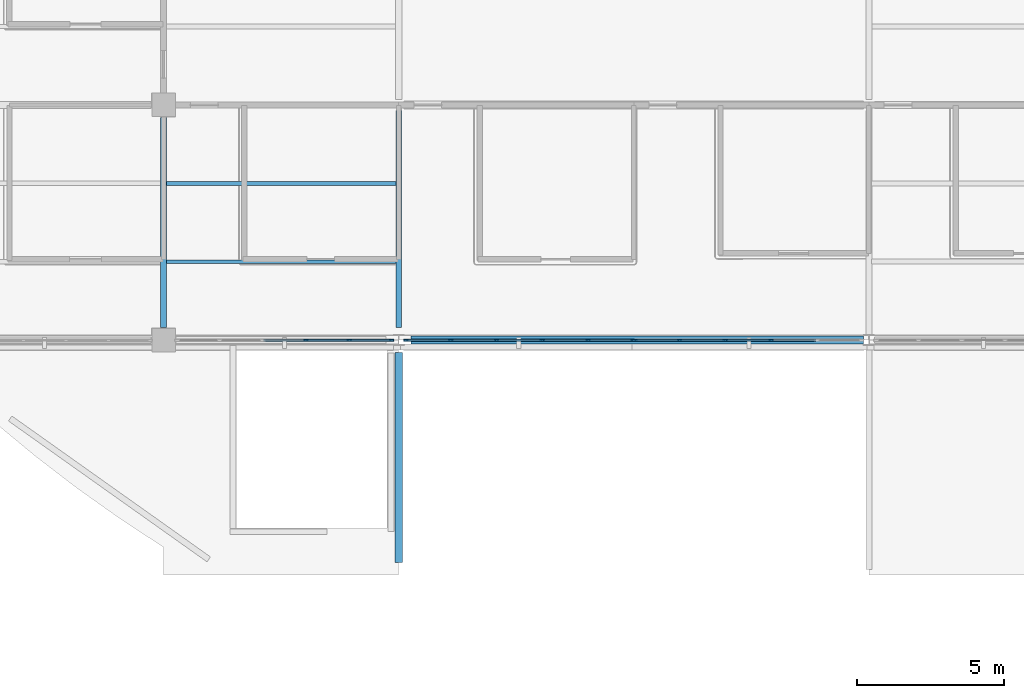
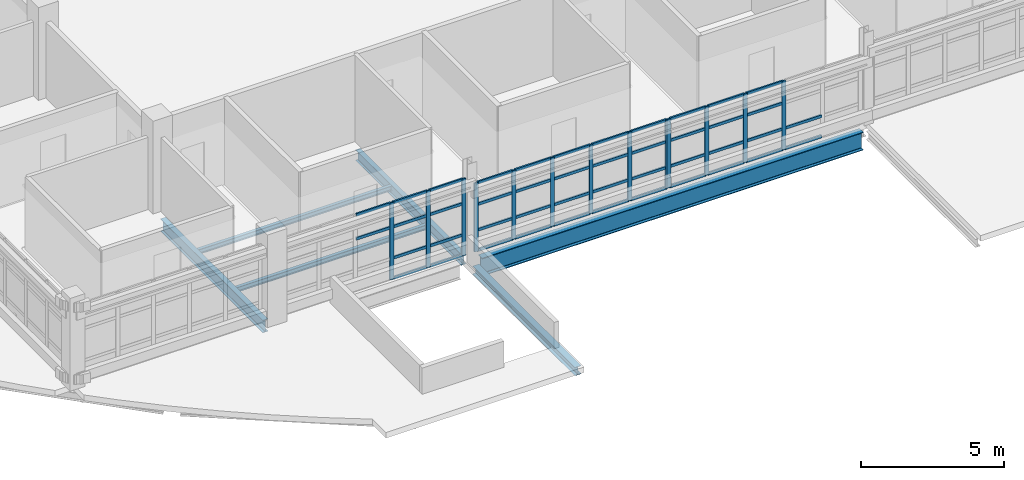
# One storey, part 24 of 126: 57 members, 6 beams, 3 elements without a shape of their own.
"""IFC4 building model written with IfcOpenShell, lengths in metres."""

from ifc_helpers import new_model, si_unit, derived_unit, direction, frame, origin, origin_2d, place, context, subcontext, project, spatial, rectangle, i_section, extrude, material, layer, layer_set, material_profile, profile_set, type_object, element, aggregate, save


model = new_model("IFC4")

# Units and contexts
model_context = context("Model", 3, precision=1e-05, world=origin(), true_north=direction((0.0, 1.0)))
body_context = subcontext(model_context, "Body", "Model", "MODEL_VIEW")
ifc_project = project(units=[si_unit("LENGTHUNIT", "METRE"), si_unit("AREAUNIT", "SQUARE_METRE"), si_unit("VOLUMEUNIT", "CUBIC_METRE"), si_unit("PLANEANGLEUNIT", "RADIAN"), si_unit("MASSUNIT", "GRAM", prefix="KILO"), derived_unit("THERMALTRANSMITTANCEUNIT", [(si_unit("MASSUNIT", "GRAM", prefix="KILO"), 1), (si_unit("TIMEUNIT", "SECOND"), -3), (si_unit("THERMODYNAMICTEMPERATUREUNIT", "KELVIN"), -1)])], contexts=[model_context])

# Site, building, storey
site_placement = place(None, origin())
site = spatial("IfcSite", under=ifc_project, at=site_placement, CompositionType="ELEMENT")
building_placement = place(site_placement, origin())
building = spatial("IfcBuilding", under=site, at=building_placement, Name="Veyamyaing Civic Hall", CompositionType="ELEMENT")
storey_placement = place(building_placement, frame((0.0, 0.0, 9.89990234375)))
storey = spatial("IfcBuildingStorey", under=building, at=storey_placement, Name="L02", CompositionType="ELEMENT", Elevation=9.89990234375)

# Beams
ifc_material_1 = material(Name="Steel ASTM A992", Category="steel")
ifc_material_profile_1 = material_profile(ifc_material_1, i_section(OverallWidth=0.26806640625, OverallDepth=0.77001953125, WebThickness=0.015625, FlangeThickness=0.025390625, FilletRadius=0.01611328125, at=origin_2d()), Name="W760X196")
ifc_profile_set_1 = profile_set([ifc_material_profile_1], Name="Steel ASTM A992")
beam_type_1 = type_object("IfcBeamType", Name="B-03", PredefinedType="BEAM", material=ifc_profile_set_1)
beam_1_placement = place(storey_placement, frame((80.425048828125, 24.0, -0.669921875), z_axis=(1.0, 0.0, 0.0), x_axis=(0.0, 1.0, 0.0)))
element("IfcBeam", 1, at=beam_1_placement, inside=storey, type_object=beam_type_1, Name="Girder B-03 L02 Grid D 11-13", PredefinedType="BEAM", context=body_context, shape_type="SweptSolid", body=[
    extrude(i_section(OverallWidth=0.26806640625, OverallDepth=0.77001953125, WebThickness=0.015625, FlangeThickness=0.025390625, FilletRadius=0.01611328125, at=origin_2d()), origin(), (0.0, 0.0, 1.0), 15.387939453125),
])
ifc_material_profile_2 = material_profile(ifc_material_1, i_section(OverallWidth=0.208984375, OverallDepth=0.532958984375, WebThickness=0.01025390625, FlangeThickness=0.015625, FilletRadius=0.011962890625, at=origin_2d()), Name="W530X92")
ifc_profile_set_2 = profile_set([ifc_material_profile_2], Name="Steel ASTM A992")
beam_type_2 = type_object("IfcBeamType", Name="B-07", PredefinedType="BEAM", material=ifc_profile_set_2)
beam_2_placement = place(storey_placement, frame((72.0, 24.425048828125, -0.551513671875), z_axis=(0.0, 1.0, 0.0), x_axis=(-1.0, 0.0, 0.0)))
element("IfcBeam", 2, at=beam_2_placement, inside=storey, type_object=beam_type_2, Name="Girder B-07 L02 Grid 10 D-E", PredefinedType="BEAM", context=body_context, shape_type="SweptSolid", body=[
    extrude(i_section(OverallWidth=0.208984375, OverallDepth=0.532958984375, WebThickness=0.01025390625, FlangeThickness=0.015625, FilletRadius=0.011962890625, at=origin_2d()), origin(), (0.0, 0.0, 1.0), 7.14990234375),
])
ifc_material_profile_3 = material_profile(ifc_material_1, i_section(OverallWidth=0.19189453125, OverallDepth=0.462890625, WebThickness=0.010498046875, FlangeThickness=0.017578125, FilletRadius=0.010009765625, at=origin_2d()), Name="W460X89")
ifc_profile_set_3 = profile_set([ifc_material_profile_3], Name="Steel ASTM A992")
beam_type_3 = type_object("IfcBeamType", Name="B-08", PredefinedType="BEAM", material=ifc_profile_set_3)
beam_3_placement = place(storey_placement, frame((80.0, 24.425048828125, -0.516357421875), z_axis=(0.0, 1.0, 0.0), x_axis=(-1.0, 0.0, 0.0)))
element("IfcBeam", 3, at=beam_3_placement, inside=storey, type_object=beam_type_3, Name="Girder B-08 L02 Grid 11 D-E", PredefinedType="BEAM", context=body_context, shape_type="SweptSolid", body=[
    extrude(i_section(OverallWidth=0.19189453125, OverallDepth=0.462890625, WebThickness=0.010498046875, FlangeThickness=0.017578125, FilletRadius=0.010009765625, at=origin_2d()), origin(), (0.0, 0.0, 1.0), 7.388916015625),
])
ifc_material_profile_4 = material_profile(ifc_material_1, i_section(OverallWidth=0.25390625, OverallDepth=0.35302734375, WebThickness=0.009521484375, FlangeThickness=0.016357421875, FilletRadius=0.011962890625, at=origin_2d()), Name="W360X91")
ifc_profile_set_4 = profile_set([ifc_material_profile_4], Name="Steel ASTM A992")
beam_type_4 = type_object("IfcBeamType", Name="B-20", PredefinedType="SPANDREL", material=ifc_profile_set_4)
beam_4_placement = place(storey_placement, frame((80.0, 16.425048828125, -0.41650390625), z_axis=(0.0, 1.0, 0.0), x_axis=(-1.0, 0.0, 0.0)))
element("IfcBeam", 4, at=beam_4_placement, inside=storey, type_object=beam_type_4, Name="Girder B-20 L02 Grid 11 C-D", PredefinedType="SPANDREL", context=body_context, shape_type="SweptSolid", body=[
    extrude(i_section(OverallWidth=0.25390625, OverallDepth=0.35302734375, WebThickness=0.009521484375, FlangeThickness=0.016357421875, FilletRadius=0.011962890625, at=origin_2d()), origin(), (0.0, 0.0, 1.0), 7.14990234375),
])

# Curtain wall, members
ifc_material_2 = material(Name="Anodised aluminium 6063-T6", Category="aluminium")
ifc_layer = layer(ifc_material_2, 0.159912109375, Name="Anodised aluminium 6063-T6")
ifc_layer_set = layer_set([ifc_layer], Name="Anodised aluminium 6063-T6")
curtain_wall_type = type_object("IfcCurtainWallType", Name="CW-03", PredefinedType="NOTDEFINED", material=ifc_layer_set)
curtain_wall_1_placement = place(storey_placement, origin())
curtain_wall_1 = element("IfcCurtainWall", 5, at=curtain_wall_1_placement, inside=storey, type_object=curtain_wall_type, Name="Unitized curtain wall CW-03 L02 S 10.4", PredefinedType="NOTDEFINED")
ifc_material_profile_5 = material_profile(ifc_material_2, rectangle(XDim=0.06494140625, YDim=0.159912109375, at=origin_2d()), Name="ALU-MUL-65X160")
ifc_profile_set_5 = profile_set([ifc_material_profile_5], Name="Anodised aluminium 6063-T6")
member_type_1 = type_object("IfcMemberType", Name="CWM-01", PredefinedType="MULLION", material=ifc_profile_set_5)
member_1_placement = place(storey_placement, frame((76.8427734375, 24.0, 0.0), z_axis=(0.0, 0.0, 1.0), x_axis=(0.0, 1.0, 0.0)))
member_1 = element("IfcMember", 6, at=member_1_placement, type_object=member_type_1, Name="CW-03 mullion 4", PredefinedType="MULLION", context=body_context, shape_type="SweptSolid", body=[
    extrude(rectangle(XDim=0.06494140625, YDim=0.159912109375, at=origin_2d()), origin(), (0.0, 0.0, 1.0), 3.2841796875),
])
member_2_placement = place(storey_placement, frame((78.313720703125, 24.0, 0.0), z_axis=(0.0, 0.0, 1.0), x_axis=(0.0, 1.0, 0.0)))
member_2 = element("IfcMember", 7, at=member_2_placement, type_object=member_type_1, Name="CW-03 mullion 5", PredefinedType="MULLION", context=body_context, shape_type="SweptSolid", body=[
    extrude(rectangle(XDim=0.06494140625, YDim=0.159912109375, at=origin_2d()), origin(), (0.0, 0.0, 1.0), 3.2841796875),
])
member_3_placement = place(storey_placement, frame((79.751953125, 24.0, 0.0), z_axis=(0.0, 0.0, 1.0), x_axis=(0.0, 1.0, 0.0)))
member_3 = element("IfcMember", 8, at=member_3_placement, type_object=member_type_1, Name="CW-03 mullion 6", PredefinedType="MULLION", context=body_context, shape_type="SweptSolid", body=[
    extrude(rectangle(XDim=0.06494140625, YDim=0.159912109375, at=origin_2d()), origin(), (0.0, 0.0, 1.0), 3.2841796875),
])

curtain_wall_2_placement = place(storey_placement, origin())
curtain_wall_2 = element("IfcCurtainWall", 9, at=curtain_wall_2_placement, inside=storey, type_object=curtain_wall_type, Name="Unitized curtain wall CW-03 L02 S 11.4", PredefinedType="NOTDEFINED")
member_4_placement = place(storey_placement, frame((80.248046875, 24.0, 0.0), z_axis=(0.0, 0.0, 1.0), x_axis=(0.0, 1.0, 0.0)))
member_4 = element("IfcMember", 10, at=member_4_placement, type_object=member_type_1, Name="CW-03 mullion 1", PredefinedType="MULLION", context=body_context, shape_type="SweptSolid", body=[
    extrude(rectangle(XDim=0.06494140625, YDim=0.159912109375, at=origin_2d()), origin(), (0.0, 0.0, 1.0), 2.939208984375),
])
member_5_placement = place(storey_placement, frame((81.7724609375, 24.0, 0.0), z_axis=(0.0, 0.0, 1.0), x_axis=(0.0, 1.0, 0.0)))
member_5 = element("IfcMember", 11, at=member_5_placement, type_object=member_type_1, Name="CW-03 mullion 2", PredefinedType="MULLION", context=body_context, shape_type="SweptSolid", body=[
    extrude(rectangle(XDim=0.06494140625, YDim=0.159912109375, at=origin_2d()), origin(), (0.0, 0.0, 1.0), 2.939208984375),
])
member_6_placement = place(storey_placement, frame((83.329345703125, 24.0, 0.0), z_axis=(0.0, 0.0, 1.0), x_axis=(0.0, 1.0, 0.0)))
member_6 = element("IfcMember", 12, at=member_6_placement, type_object=member_type_1, Name="CW-03 mullion 3", PredefinedType="MULLION", context=body_context, shape_type="SweptSolid", body=[
    extrude(rectangle(XDim=0.06494140625, YDim=0.159912109375, at=origin_2d()), origin(), (0.0, 0.0, 1.0), 2.939208984375),
])
member_7_placement = place(storey_placement, frame((84.88623046875, 24.0, 0.0), z_axis=(0.0, 0.0, 1.0), x_axis=(0.0, 1.0, 0.0)))
member_7 = element("IfcMember", 13, at=member_7_placement, type_object=member_type_1, Name="CW-03 mullion 4", PredefinedType="MULLION", context=body_context, shape_type="SweptSolid", body=[
    extrude(rectangle(XDim=0.06494140625, YDim=0.159912109375, at=origin_2d()), origin(), (0.0, 0.0, 1.0), 2.939208984375),
])
member_8_placement = place(storey_placement, frame((86.443115234375, 24.0, 0.0), z_axis=(0.0, 0.0, 1.0), x_axis=(0.0, 1.0, 0.0)))
member_8 = element("IfcMember", 14, at=member_8_placement, type_object=member_type_1, Name="CW-03 mullion 5", PredefinedType="MULLION", context=body_context, shape_type="SweptSolid", body=[
    extrude(rectangle(XDim=0.06494140625, YDim=0.159912109375, at=origin_2d()), origin(), (0.0, 0.0, 1.0), 2.939208984375),
])
member_9_placement = place(storey_placement, frame((87.967529296875, 24.0, 0.0), z_axis=(0.0, 0.0, 1.0), x_axis=(0.0, 1.0, 0.0)))
member_9 = element("IfcMember", 15, at=member_9_placement, type_object=member_type_1, Name="CW-03 mullion 6", PredefinedType="MULLION", context=body_context, shape_type="SweptSolid", body=[
    extrude(rectangle(XDim=0.06494140625, YDim=0.159912109375, at=origin_2d()), origin(), (0.0, 0.0, 1.0), 2.939208984375),
])

curtain_wall_3_placement = place(storey_placement, origin())
curtain_wall_3 = element("IfcCurtainWall", 16, at=curtain_wall_3_placement, inside=storey, type_object=curtain_wall_type, Name="Unitized curtain wall CW-03 L02 S 12.4", PredefinedType="NOTDEFINED")
member_10_placement = place(storey_placement, frame((88.032470703125, 24.0, 0.0), z_axis=(0.0, 0.0, 1.0), x_axis=(0.0, 1.0, 0.0)))
member_10 = element("IfcMember", 17, at=member_10_placement, type_object=member_type_1, Name="CW-03 mullion 1", PredefinedType="MULLION", context=body_context, shape_type="SweptSolid", body=[
    extrude(rectangle(XDim=0.06494140625, YDim=0.159912109375, at=origin_2d()), origin(), (0.0, 0.0, 1.0), 2.939208984375),
])
member_11_placement = place(storey_placement, frame((89.556884765625, 24.0, 0.0), z_axis=(0.0, 0.0, 1.0), x_axis=(0.0, 1.0, 0.0)))
member_11 = element("IfcMember", 18, at=member_11_placement, type_object=member_type_1, Name="CW-03 mullion 2", PredefinedType="MULLION", context=body_context, shape_type="SweptSolid", body=[
    extrude(rectangle(XDim=0.06494140625, YDim=0.159912109375, at=origin_2d()), origin(), (0.0, 0.0, 1.0), 2.939208984375),
])
member_12_placement = place(storey_placement, frame((91.11376953125, 24.0, 0.0), z_axis=(0.0, 0.0, 1.0), x_axis=(0.0, 1.0, 0.0)))
member_12 = element("IfcMember", 19, at=member_12_placement, type_object=member_type_1, Name="CW-03 mullion 3", PredefinedType="MULLION", context=body_context, shape_type="SweptSolid", body=[
    extrude(rectangle(XDim=0.06494140625, YDim=0.159912109375, at=origin_2d()), origin(), (0.0, 0.0, 1.0), 2.939208984375),
])
member_13_placement = place(storey_placement, frame((92.670654296875, 24.0, 0.0), z_axis=(0.0, 0.0, 1.0), x_axis=(0.0, 1.0, 0.0)))
member_13 = element("IfcMember", 20, at=member_13_placement, type_object=member_type_1, Name="CW-03 mullion 4", PredefinedType="MULLION", context=body_context, shape_type="SweptSolid", body=[
    extrude(rectangle(XDim=0.06494140625, YDim=0.159912109375, at=origin_2d()), origin(), (0.0, 0.0, 1.0), 2.939208984375),
])

# Member
ifc_material_profile_6 = material_profile(ifc_material_2, rectangle(XDim=0.06494140625, YDim=0.1201171875, at=origin_2d()), Name="ALU-TRN-65X120")
ifc_profile_set_6 = profile_set([ifc_material_profile_6], Name="Anodised aluminium 6063-T6")
member_type_2 = type_object("IfcMemberType", Name="CWT-01", PredefinedType="USERDEFINED", material=ifc_profile_set_6)
member_14_placement = place(storey_placement, frame((75.404296875, 24.0, 2.233154296875), z_axis=(1.0, 0.0, 0.0), x_axis=(0.0, 1.0, 0.0)))
member_14 = element("IfcMember", 21, at=member_14_placement, type_object=member_type_2, Name="CW-03 transom 3.3", ObjectType="TRANSOM", PredefinedType="USERDEFINED", context=body_context, shape_type="SweptSolid", body=[
    extrude(rectangle(XDim=0.06494140625, YDim=0.1201171875, at=origin_2d()), origin(), (0.0, 0.0, 1.0), 1.406005859375),
])

member_15_placement = place(storey_placement, frame((75.404296875, 24.0, 3.251708984375), z_axis=(1.0, 0.0, 0.0), x_axis=(0.0, 1.0, 0.0)))
member_15 = element("IfcMember", 22, at=member_15_placement, type_object=member_type_2, Name="CW-03 transom 3.4", ObjectType="TRANSOM", PredefinedType="USERDEFINED", context=body_context, shape_type="SweptSolid", body=[
    extrude(rectangle(XDim=0.06494140625, YDim=0.1201171875, at=origin_2d()), origin(), (0.0, 0.0, 1.0), 1.406005859375),
])

member_16_placement = place(storey_placement, frame((76.875244140625, 24.0, 0.03271484375), z_axis=(1.0, 0.0, 0.0), x_axis=(0.0, 1.0, 0.0)))
member_16 = element("IfcMember", 23, at=member_16_placement, type_object=member_type_2, Name="CW-03 transom 4.1", ObjectType="TRANSOM", PredefinedType="USERDEFINED", context=body_context, shape_type="SweptSolid", body=[
    extrude(rectangle(XDim=0.06494140625, YDim=0.1201171875, at=origin_2d()), origin(), (0.0, 0.0, 1.0), 1.40576171875),
])

member_17_placement = place(storey_placement, frame((76.875244140625, 24.0, 0.900146484375), z_axis=(1.0, 0.0, 0.0), x_axis=(0.0, 1.0, 0.0)))
member_17 = element("IfcMember", 24, at=member_17_placement, type_object=member_type_2, Name="CW-03 transom 4.2", ObjectType="TRANSOM", PredefinedType="USERDEFINED", context=body_context, shape_type="SweptSolid", body=[
    extrude(rectangle(XDim=0.06494140625, YDim=0.1201171875, at=origin_2d()), origin(), (0.0, 0.0, 1.0), 1.40576171875),
])

member_18_placement = place(storey_placement, frame((76.875244140625, 24.0, 2.233154296875), z_axis=(1.0, 0.0, 0.0), x_axis=(0.0, 1.0, 0.0)))
member_18 = element("IfcMember", 25, at=member_18_placement, type_object=member_type_2, Name="CW-03 transom 4.3", ObjectType="TRANSOM", PredefinedType="USERDEFINED", context=body_context, shape_type="SweptSolid", body=[
    extrude(rectangle(XDim=0.06494140625, YDim=0.1201171875, at=origin_2d()), origin(), (0.0, 0.0, 1.0), 1.40576171875),
])

member_19_placement = place(storey_placement, frame((76.875244140625, 24.0, 3.251708984375), z_axis=(1.0, 0.0, 0.0), x_axis=(0.0, 1.0, 0.0)))
member_19 = element("IfcMember", 26, at=member_19_placement, type_object=member_type_2, Name="CW-03 transom 4.4", ObjectType="TRANSOM", PredefinedType="USERDEFINED", context=body_context, shape_type="SweptSolid", body=[
    extrude(rectangle(XDim=0.06494140625, YDim=0.1201171875, at=origin_2d()), origin(), (0.0, 0.0, 1.0), 1.40576171875),
])

member_20_placement = place(storey_placement, frame((78.34619140625, 24.0, 0.03271484375), z_axis=(1.0, 0.0, 0.0), x_axis=(0.0, 1.0, 0.0)))
member_20 = element("IfcMember", 27, at=member_20_placement, type_object=member_type_2, Name="CW-03 transom 5.1", ObjectType="TRANSOM", PredefinedType="USERDEFINED", context=body_context, shape_type="SweptSolid", body=[
    extrude(rectangle(XDim=0.06494140625, YDim=0.1201171875, at=origin_2d()), origin(), (0.0, 0.0, 1.0), 1.373291015625),
])

member_21_placement = place(storey_placement, frame((78.34619140625, 24.0, 0.900146484375), z_axis=(1.0, 0.0, 0.0), x_axis=(0.0, 1.0, 0.0)))
member_21 = element("IfcMember", 28, at=member_21_placement, type_object=member_type_2, Name="CW-03 transom 5.2", ObjectType="TRANSOM", PredefinedType="USERDEFINED", context=body_context, shape_type="SweptSolid", body=[
    extrude(rectangle(XDim=0.06494140625, YDim=0.1201171875, at=origin_2d()), origin(), (0.0, 0.0, 1.0), 1.373291015625),
])

member_22_placement = place(storey_placement, frame((78.34619140625, 24.0, 2.233154296875), z_axis=(1.0, 0.0, 0.0), x_axis=(0.0, 1.0, 0.0)))
member_22 = element("IfcMember", 29, at=member_22_placement, type_object=member_type_2, Name="CW-03 transom 5.3", ObjectType="TRANSOM", PredefinedType="USERDEFINED", context=body_context, shape_type="SweptSolid", body=[
    extrude(rectangle(XDim=0.06494140625, YDim=0.1201171875, at=origin_2d()), origin(), (0.0, 0.0, 1.0), 1.373291015625),
])

member_23_placement = place(storey_placement, frame((78.34619140625, 24.0, 3.251708984375), z_axis=(1.0, 0.0, 0.0), x_axis=(0.0, 1.0, 0.0)))
member_23 = element("IfcMember", 30, at=member_23_placement, type_object=member_type_2, Name="CW-03 transom 5.4", ObjectType="TRANSOM", PredefinedType="USERDEFINED", context=body_context, shape_type="SweptSolid", body=[
    extrude(rectangle(XDim=0.06494140625, YDim=0.1201171875, at=origin_2d()), origin(), (0.0, 0.0, 1.0), 1.373291015625),
])

aggregate(curtain_wall_1, [member_1, member_2, member_3, member_14, member_15, member_16, member_17, member_18, member_19, member_20, member_21, member_22, member_23])

member_24_placement = place(storey_placement, frame((80.280517578125, 24.0, 0.03271484375), z_axis=(1.0, 0.0, 0.0), x_axis=(0.0, 1.0, 0.0)))
member_24 = element("IfcMember", 31, at=member_24_placement, type_object=member_type_2, Name="CW-03 transom 1.1", ObjectType="TRANSOM", PredefinedType="USERDEFINED", context=body_context, shape_type="SweptSolid", body=[
    extrude(rectangle(XDim=0.06494140625, YDim=0.1201171875, at=origin_2d()), origin(), (0.0, 0.0, 1.0), 1.45947265625),
])

member_25_placement = place(storey_placement, frame((80.280517578125, 24.0, 0.900146484375), z_axis=(1.0, 0.0, 0.0), x_axis=(0.0, 1.0, 0.0)))
member_25 = element("IfcMember", 32, at=member_25_placement, type_object=member_type_2, Name="CW-03 transom 1.2", ObjectType="TRANSOM", PredefinedType="USERDEFINED", context=body_context, shape_type="SweptSolid", body=[
    extrude(rectangle(XDim=0.06494140625, YDim=0.1201171875, at=origin_2d()), origin(), (0.0, 0.0, 1.0), 1.45947265625),
])

member_26_placement = place(storey_placement, frame((80.280517578125, 24.0, 1.99853515625), z_axis=(1.0, 0.0, 0.0), x_axis=(0.0, 1.0, 0.0)))
member_26 = element("IfcMember", 33, at=member_26_placement, type_object=member_type_2, Name="CW-03 transom 1.3", ObjectType="TRANSOM", PredefinedType="USERDEFINED", context=body_context, shape_type="SweptSolid", body=[
    extrude(rectangle(XDim=0.06494140625, YDim=0.1201171875, at=origin_2d()), origin(), (0.0, 0.0, 1.0), 1.45947265625),
])

member_27_placement = place(storey_placement, frame((80.280517578125, 24.0, 2.906494140625), z_axis=(1.0, 0.0, 0.0), x_axis=(0.0, 1.0, 0.0)))
member_27 = element("IfcMember", 34, at=member_27_placement, type_object=member_type_2, Name="CW-03 transom 1.4", ObjectType="TRANSOM", PredefinedType="USERDEFINED", context=body_context, shape_type="SweptSolid", body=[
    extrude(rectangle(XDim=0.06494140625, YDim=0.1201171875, at=origin_2d()), origin(), (0.0, 0.0, 1.0), 1.45947265625),
])

member_28_placement = place(storey_placement, frame((81.804931640625, 24.0, 0.03271484375), z_axis=(1.0, 0.0, 0.0), x_axis=(0.0, 1.0, 0.0)))
member_28 = element("IfcMember", 35, at=member_28_placement, type_object=member_type_2, Name="CW-03 transom 2.1", ObjectType="TRANSOM", PredefinedType="USERDEFINED", context=body_context, shape_type="SweptSolid", body=[
    extrude(rectangle(XDim=0.06494140625, YDim=0.1201171875, at=origin_2d()), origin(), (0.0, 0.0, 1.0), 1.491943359375),
])

member_29_placement = place(storey_placement, frame((81.804931640625, 24.0, 0.900146484375), z_axis=(1.0, 0.0, 0.0), x_axis=(0.0, 1.0, 0.0)))
member_29 = element("IfcMember", 36, at=member_29_placement, type_object=member_type_2, Name="CW-03 transom 2.2", ObjectType="TRANSOM", PredefinedType="USERDEFINED", context=body_context, shape_type="SweptSolid", body=[
    extrude(rectangle(XDim=0.06494140625, YDim=0.1201171875, at=origin_2d()), origin(), (0.0, 0.0, 1.0), 1.491943359375),
])

member_30_placement = place(storey_placement, frame((81.804931640625, 24.0, 1.99853515625), z_axis=(1.0, 0.0, 0.0), x_axis=(0.0, 1.0, 0.0)))
member_30 = element("IfcMember", 37, at=member_30_placement, type_object=member_type_2, Name="CW-03 transom 2.3", ObjectType="TRANSOM", PredefinedType="USERDEFINED", context=body_context, shape_type="SweptSolid", body=[
    extrude(rectangle(XDim=0.06494140625, YDim=0.1201171875, at=origin_2d()), origin(), (0.0, 0.0, 1.0), 1.491943359375),
])

member_31_placement = place(storey_placement, frame((81.804931640625, 24.0, 2.906494140625), z_axis=(1.0, 0.0, 0.0), x_axis=(0.0, 1.0, 0.0)))
member_31 = element("IfcMember", 38, at=member_31_placement, type_object=member_type_2, Name="CW-03 transom 2.4", ObjectType="TRANSOM", PredefinedType="USERDEFINED", context=body_context, shape_type="SweptSolid", body=[
    extrude(rectangle(XDim=0.06494140625, YDim=0.1201171875, at=origin_2d()), origin(), (0.0, 0.0, 1.0), 1.491943359375),
])

member_32_placement = place(storey_placement, frame((83.36181640625, 24.0, 0.03271484375), z_axis=(1.0, 0.0, 0.0), x_axis=(0.0, 1.0, 0.0)))
member_32 = element("IfcMember", 39, at=member_32_placement, type_object=member_type_2, Name="CW-03 transom 3.1", ObjectType="TRANSOM", PredefinedType="USERDEFINED", context=body_context, shape_type="SweptSolid", body=[
    extrude(rectangle(XDim=0.06494140625, YDim=0.1201171875, at=origin_2d()), origin(), (0.0, 0.0, 1.0), 1.491943359375),
])

member_33_placement = place(storey_placement, frame((83.36181640625, 24.0, 0.900146484375), z_axis=(1.0, 0.0, 0.0), x_axis=(0.0, 1.0, 0.0)))
member_33 = element("IfcMember", 40, at=member_33_placement, type_object=member_type_2, Name="CW-03 transom 3.2", ObjectType="TRANSOM", PredefinedType="USERDEFINED", context=body_context, shape_type="SweptSolid", body=[
    extrude(rectangle(XDim=0.06494140625, YDim=0.1201171875, at=origin_2d()), origin(), (0.0, 0.0, 1.0), 1.491943359375),
])

member_34_placement = place(storey_placement, frame((83.36181640625, 24.0, 1.99853515625), z_axis=(1.0, 0.0, 0.0), x_axis=(0.0, 1.0, 0.0)))
member_34 = element("IfcMember", 41, at=member_34_placement, type_object=member_type_2, Name="CW-03 transom 3.3", ObjectType="TRANSOM", PredefinedType="USERDEFINED", context=body_context, shape_type="SweptSolid", body=[
    extrude(rectangle(XDim=0.06494140625, YDim=0.1201171875, at=origin_2d()), origin(), (0.0, 0.0, 1.0), 1.491943359375),
])

member_35_placement = place(storey_placement, frame((83.36181640625, 24.0, 2.906494140625), z_axis=(1.0, 0.0, 0.0), x_axis=(0.0, 1.0, 0.0)))
member_35 = element("IfcMember", 42, at=member_35_placement, type_object=member_type_2, Name="CW-03 transom 3.4", ObjectType="TRANSOM", PredefinedType="USERDEFINED", context=body_context, shape_type="SweptSolid", body=[
    extrude(rectangle(XDim=0.06494140625, YDim=0.1201171875, at=origin_2d()), origin(), (0.0, 0.0, 1.0), 1.491943359375),
])

member_36_placement = place(storey_placement, frame((84.918701171875, 24.0, 0.03271484375), z_axis=(1.0, 0.0, 0.0), x_axis=(0.0, 1.0, 0.0)))
member_36 = element("IfcMember", 43, at=member_36_placement, type_object=member_type_2, Name="CW-03 transom 4.1", ObjectType="TRANSOM", PredefinedType="USERDEFINED", context=body_context, shape_type="SweptSolid", body=[
    extrude(rectangle(XDim=0.06494140625, YDim=0.1201171875, at=origin_2d()), origin(), (0.0, 0.0, 1.0), 1.491943359375),
])

member_37_placement = place(storey_placement, frame((84.918701171875, 24.0, 0.900146484375), z_axis=(1.0, 0.0, 0.0), x_axis=(0.0, 1.0, 0.0)))
member_37 = element("IfcMember", 44, at=member_37_placement, type_object=member_type_2, Name="CW-03 transom 4.2", ObjectType="TRANSOM", PredefinedType="USERDEFINED", context=body_context, shape_type="SweptSolid", body=[
    extrude(rectangle(XDim=0.06494140625, YDim=0.1201171875, at=origin_2d()), origin(), (0.0, 0.0, 1.0), 1.491943359375),
])

member_38_placement = place(storey_placement, frame((84.918701171875, 24.0, 1.99853515625), z_axis=(1.0, 0.0, 0.0), x_axis=(0.0, 1.0, 0.0)))
member_38 = element("IfcMember", 45, at=member_38_placement, type_object=member_type_2, Name="CW-03 transom 4.3", ObjectType="TRANSOM", PredefinedType="USERDEFINED", context=body_context, shape_type="SweptSolid", body=[
    extrude(rectangle(XDim=0.06494140625, YDim=0.1201171875, at=origin_2d()), origin(), (0.0, 0.0, 1.0), 1.491943359375),
])

member_39_placement = place(storey_placement, frame((84.918701171875, 24.0, 2.906494140625), z_axis=(1.0, 0.0, 0.0), x_axis=(0.0, 1.0, 0.0)))
member_39 = element("IfcMember", 46, at=member_39_placement, type_object=member_type_2, Name="CW-03 transom 4.4", ObjectType="TRANSOM", PredefinedType="USERDEFINED", context=body_context, shape_type="SweptSolid", body=[
    extrude(rectangle(XDim=0.06494140625, YDim=0.1201171875, at=origin_2d()), origin(), (0.0, 0.0, 1.0), 1.491943359375),
])

member_40_placement = place(storey_placement, frame((86.4755859375, 24.0, 0.03271484375), z_axis=(1.0, 0.0, 0.0), x_axis=(0.0, 1.0, 0.0)))
member_40 = element("IfcMember", 47, at=member_40_placement, type_object=member_type_2, Name="CW-03 transom 5.1", ObjectType="TRANSOM", PredefinedType="USERDEFINED", context=body_context, shape_type="SweptSolid", body=[
    extrude(rectangle(XDim=0.06494140625, YDim=0.1201171875, at=origin_2d()), origin(), (0.0, 0.0, 1.0), 1.45947265625),
])

member_41_placement = place(storey_placement, frame((86.4755859375, 24.0, 0.900146484375), z_axis=(1.0, 0.0, 0.0), x_axis=(0.0, 1.0, 0.0)))
member_41 = element("IfcMember", 48, at=member_41_placement, type_object=member_type_2, Name="CW-03 transom 5.2", ObjectType="TRANSOM", PredefinedType="USERDEFINED", context=body_context, shape_type="SweptSolid", body=[
    extrude(rectangle(XDim=0.06494140625, YDim=0.1201171875, at=origin_2d()), origin(), (0.0, 0.0, 1.0), 1.45947265625),
])

member_42_placement = place(storey_placement, frame((86.4755859375, 24.0, 1.99853515625), z_axis=(1.0, 0.0, 0.0), x_axis=(0.0, 1.0, 0.0)))
member_42 = element("IfcMember", 49, at=member_42_placement, type_object=member_type_2, Name="CW-03 transom 5.3", ObjectType="TRANSOM", PredefinedType="USERDEFINED", context=body_context, shape_type="SweptSolid", body=[
    extrude(rectangle(XDim=0.06494140625, YDim=0.1201171875, at=origin_2d()), origin(), (0.0, 0.0, 1.0), 1.45947265625),
])

member_43_placement = place(storey_placement, frame((86.4755859375, 24.0, 2.906494140625), z_axis=(1.0, 0.0, 0.0), x_axis=(0.0, 1.0, 0.0)))
member_43 = element("IfcMember", 50, at=member_43_placement, type_object=member_type_2, Name="CW-03 transom 5.4", ObjectType="TRANSOM", PredefinedType="USERDEFINED", context=body_context, shape_type="SweptSolid", body=[
    extrude(rectangle(XDim=0.06494140625, YDim=0.1201171875, at=origin_2d()), origin(), (0.0, 0.0, 1.0), 1.45947265625),
])

aggregate(curtain_wall_2, [member_4, member_5, member_6, member_7, member_8, member_9, member_24, member_25, member_26, member_27, member_28, member_29, member_30, member_31, member_32, member_33, member_34, member_35, member_36, member_37, member_38, member_39, member_40, member_41, member_42, member_43])

member_44_placement = place(storey_placement, frame((88.06494140625, 24.0, 0.03271484375), z_axis=(1.0, 0.0, 0.0), x_axis=(0.0, 1.0, 0.0)))
member_44 = element("IfcMember", 51, at=member_44_placement, type_object=member_type_2, Name="CW-03 transom 1.1", ObjectType="TRANSOM", PredefinedType="USERDEFINED", context=body_context, shape_type="SweptSolid", body=[
    extrude(rectangle(XDim=0.06494140625, YDim=0.1201171875, at=origin_2d()), origin(), (0.0, 0.0, 1.0), 1.45947265625),
])

member_45_placement = place(storey_placement, frame((88.06494140625, 24.0, 0.900146484375), z_axis=(1.0, 0.0, 0.0), x_axis=(0.0, 1.0, 0.0)))
member_45 = element("IfcMember", 52, at=member_45_placement, type_object=member_type_2, Name="CW-03 transom 1.2", ObjectType="TRANSOM", PredefinedType="USERDEFINED", context=body_context, shape_type="SweptSolid", body=[
    extrude(rectangle(XDim=0.06494140625, YDim=0.1201171875, at=origin_2d()), origin(), (0.0, 0.0, 1.0), 1.45947265625),
])

member_46_placement = place(storey_placement, frame((88.06494140625, 24.0, 1.99853515625), z_axis=(1.0, 0.0, 0.0), x_axis=(0.0, 1.0, 0.0)))
member_46 = element("IfcMember", 53, at=member_46_placement, type_object=member_type_2, Name="CW-03 transom 1.3", ObjectType="TRANSOM", PredefinedType="USERDEFINED", context=body_context, shape_type="SweptSolid", body=[
    extrude(rectangle(XDim=0.06494140625, YDim=0.1201171875, at=origin_2d()), origin(), (0.0, 0.0, 1.0), 1.45947265625),
])

member_47_placement = place(storey_placement, frame((88.06494140625, 24.0, 2.906494140625), z_axis=(1.0, 0.0, 0.0), x_axis=(0.0, 1.0, 0.0)))
member_47 = element("IfcMember", 54, at=member_47_placement, type_object=member_type_2, Name="CW-03 transom 1.4", ObjectType="TRANSOM", PredefinedType="USERDEFINED", context=body_context, shape_type="SweptSolid", body=[
    extrude(rectangle(XDim=0.06494140625, YDim=0.1201171875, at=origin_2d()), origin(), (0.0, 0.0, 1.0), 1.45947265625),
])

member_48_placement = place(storey_placement, frame((89.58935546875, 24.0, 0.03271484375), z_axis=(1.0, 0.0, 0.0), x_axis=(0.0, 1.0, 0.0)))
member_48 = element("IfcMember", 55, at=member_48_placement, type_object=member_type_2, Name="CW-03 transom 2.1", ObjectType="TRANSOM", PredefinedType="USERDEFINED", context=body_context, shape_type="SweptSolid", body=[
    extrude(rectangle(XDim=0.06494140625, YDim=0.1201171875, at=origin_2d()), origin(), (0.0, 0.0, 1.0), 1.491943359375),
])

member_49_placement = place(storey_placement, frame((89.58935546875, 24.0, 0.900146484375), z_axis=(1.0, 0.0, 0.0), x_axis=(0.0, 1.0, 0.0)))
member_49 = element("IfcMember", 56, at=member_49_placement, type_object=member_type_2, Name="CW-03 transom 2.2", ObjectType="TRANSOM", PredefinedType="USERDEFINED", context=body_context, shape_type="SweptSolid", body=[
    extrude(rectangle(XDim=0.06494140625, YDim=0.1201171875, at=origin_2d()), origin(), (0.0, 0.0, 1.0), 1.491943359375),
])

member_50_placement = place(storey_placement, frame((89.58935546875, 24.0, 1.99853515625), z_axis=(1.0, 0.0, 0.0), x_axis=(0.0, 1.0, 0.0)))
member_50 = element("IfcMember", 57, at=member_50_placement, type_object=member_type_2, Name="CW-03 transom 2.3", ObjectType="TRANSOM", PredefinedType="USERDEFINED", context=body_context, shape_type="SweptSolid", body=[
    extrude(rectangle(XDim=0.06494140625, YDim=0.1201171875, at=origin_2d()), origin(), (0.0, 0.0, 1.0), 1.491943359375),
])

member_51_placement = place(storey_placement, frame((89.58935546875, 24.0, 2.906494140625), z_axis=(1.0, 0.0, 0.0), x_axis=(0.0, 1.0, 0.0)))
member_51 = element("IfcMember", 58, at=member_51_placement, type_object=member_type_2, Name="CW-03 transom 2.4", ObjectType="TRANSOM", PredefinedType="USERDEFINED", context=body_context, shape_type="SweptSolid", body=[
    extrude(rectangle(XDim=0.06494140625, YDim=0.1201171875, at=origin_2d()), origin(), (0.0, 0.0, 1.0), 1.491943359375),
])

member_52_placement = place(storey_placement, frame((91.146240234375, 24.0, 0.03271484375), z_axis=(1.0, 0.0, 0.0), x_axis=(0.0, 1.0, 0.0)))
member_52 = element("IfcMember", 59, at=member_52_placement, type_object=member_type_2, Name="CW-03 transom 3.1", ObjectType="TRANSOM", PredefinedType="USERDEFINED", context=body_context, shape_type="SweptSolid", body=[
    extrude(rectangle(XDim=0.06494140625, YDim=0.1201171875, at=origin_2d()), origin(), (0.0, 0.0, 1.0), 1.491943359375),
])

member_53_placement = place(storey_placement, frame((91.146240234375, 24.0, 0.900146484375), z_axis=(1.0, 0.0, 0.0), x_axis=(0.0, 1.0, 0.0)))
member_53 = element("IfcMember", 60, at=member_53_placement, type_object=member_type_2, Name="CW-03 transom 3.2", ObjectType="TRANSOM", PredefinedType="USERDEFINED", context=body_context, shape_type="SweptSolid", body=[
    extrude(rectangle(XDim=0.06494140625, YDim=0.1201171875, at=origin_2d()), origin(), (0.0, 0.0, 1.0), 1.491943359375),
])

member_54_placement = place(storey_placement, frame((91.146240234375, 24.0, 1.99853515625), z_axis=(1.0, 0.0, 0.0), x_axis=(0.0, 1.0, 0.0)))
member_54 = element("IfcMember", 61, at=member_54_placement, type_object=member_type_2, Name="CW-03 transom 3.3", ObjectType="TRANSOM", PredefinedType="USERDEFINED", context=body_context, shape_type="SweptSolid", body=[
    extrude(rectangle(XDim=0.06494140625, YDim=0.1201171875, at=origin_2d()), origin(), (0.0, 0.0, 1.0), 1.491943359375),
])

member_55_placement = place(storey_placement, frame((91.146240234375, 24.0, 2.906494140625), z_axis=(1.0, 0.0, 0.0), x_axis=(0.0, 1.0, 0.0)))
member_55 = element("IfcMember", 62, at=member_55_placement, type_object=member_type_2, Name="CW-03 transom 3.4", ObjectType="TRANSOM", PredefinedType="USERDEFINED", context=body_context, shape_type="SweptSolid", body=[
    extrude(rectangle(XDim=0.06494140625, YDim=0.1201171875, at=origin_2d()), origin(), (0.0, 0.0, 1.0), 1.491943359375),
])

member_56_placement = place(storey_placement, frame((92.703125, 24.0, 0.03271484375), z_axis=(1.0, 0.0, 0.0), x_axis=(0.0, 1.0, 0.0)))
member_56 = element("IfcMember", 63, at=member_56_placement, type_object=member_type_2, Name="CW-03 transom 4.1", ObjectType="TRANSOM", PredefinedType="USERDEFINED", context=body_context, shape_type="SweptSolid", body=[
    extrude(rectangle(XDim=0.06494140625, YDim=0.1201171875, at=origin_2d()), origin(), (0.0, 0.0, 1.0), 1.491943359375),
])

member_57_placement = place(storey_placement, frame((92.703125, 24.0, 0.900146484375), z_axis=(1.0, 0.0, 0.0), x_axis=(0.0, 1.0, 0.0)))
member_57 = element("IfcMember", 64, at=member_57_placement, type_object=member_type_2, Name="CW-03 transom 4.2", ObjectType="TRANSOM", PredefinedType="USERDEFINED", context=body_context, shape_type="SweptSolid", body=[
    extrude(rectangle(XDim=0.06494140625, YDim=0.1201171875, at=origin_2d()), origin(), (0.0, 0.0, 1.0), 1.491943359375),
])

aggregate(curtain_wall_3, [member_10, member_11, member_12, member_13, member_44, member_45, member_46, member_47, member_48, member_49, member_50, member_51, member_52, member_53, member_54, member_55, member_56, member_57])

# Beams
ifc_material_profile_7 = material_profile(ifc_material_1, i_section(OverallWidth=0.133056640625, OverallDepth=0.20703125, WebThickness=0.005859375, FlangeThickness=0.00830078125, FilletRadius=0.010009765625, at=origin_2d()), Name="W200X27")
ifc_profile_set_7 = profile_set([ifc_material_profile_7], Name="Steel ASTM A992")
beam_type_5 = type_object("IfcBeamType", Name="J-08", PredefinedType="JOIST", material=ifc_profile_set_7)
for number, where, z_axis, x_axis, name in (
    (65, (72.1025390625, 26.666748046875, -0.388427734375), (1.0, 0.0, 0.0), (0.0, 1.0, 0.0), "Composite floor joist J-08 L02 10.4.1"),
    (66, (72.1025390625, 29.333251953125, -0.388427734375), (1.0, 0.0, 0.0), (0.0, 1.0, 0.0), "Composite floor joist J-08 L02 10.4.2"),
):
    element("IfcBeam", number, at=place(storey_placement, frame(where, z_axis=z_axis, x_axis=x_axis)), inside=storey, type_object=beam_type_5, Name=name, PredefinedType="JOIST", context=body_context, shape_type="SweptSolid", body=[
        extrude(i_section(OverallWidth=0.133056640625, OverallDepth=0.20703125, WebThickness=0.005859375, FlangeThickness=0.00830078125, FilletRadius=0.010009765625, at=origin_2d()), origin(), (0.0, 0.0, 1.0), 7.803466796875),
    ])

save(model, "model.ifc")
